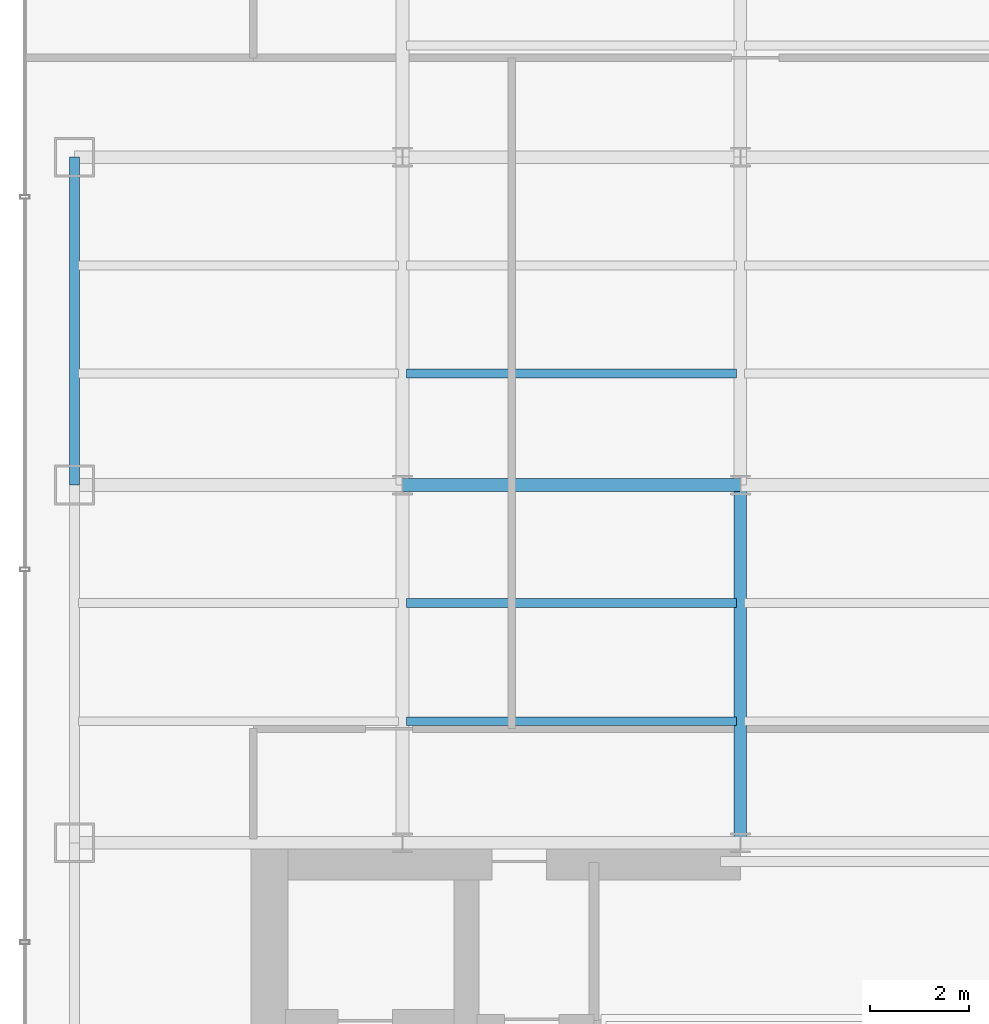
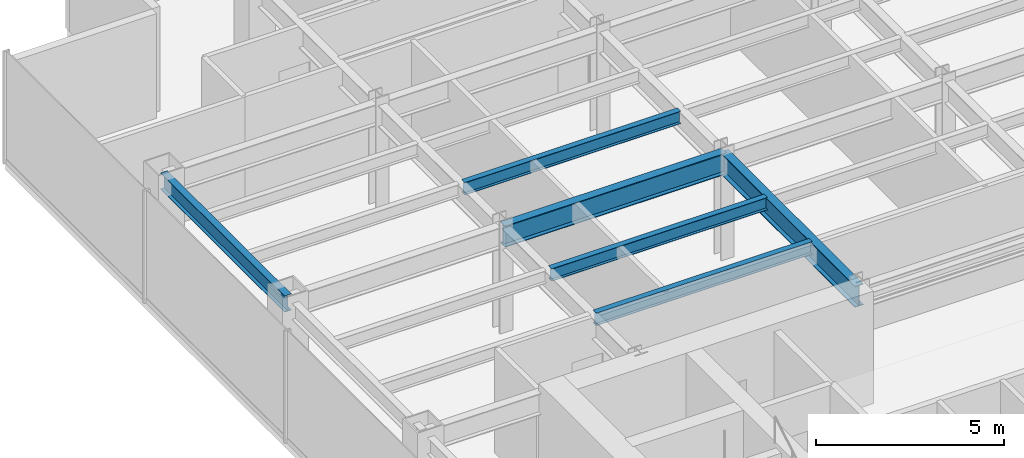
# One storey, part 5 of 26: 6 beams.
"""IFC4 building model written with IfcOpenShell, lengths in metres."""

from ifc_helpers import new_model, si_unit, derived_unit, direction, frame, origin, origin_2d, place, context, subcontext, project, spatial, i_section, extrude, source, transform, mapped, material, material_profile, profile_set, type_object, element, save


model = new_model("IFC4")

# Units and contexts
model_context = context("Model", 3, precision=1e-05, world=origin(), true_north=direction((0.0, 1.0)))
body_context = subcontext(model_context, "Body", "Model", "MODEL_VIEW")
ifc_project = project(units=[si_unit("LENGTHUNIT", "METRE"), si_unit("AREAUNIT", "SQUARE_METRE"), si_unit("VOLUMEUNIT", "CUBIC_METRE"), si_unit("PLANEANGLEUNIT", "RADIAN"), si_unit("MASSUNIT", "GRAM", prefix="KILO"), derived_unit("THERMALTRANSMITTANCEUNIT", [(si_unit("POWERUNIT", "WATT"), 1), (si_unit("LENGTHUNIT", "METRE"), -2), (si_unit("THERMODYNAMICTEMPERATUREUNIT", "KELVIN"), -1)])], contexts=[model_context])

# Site, building, storey
site_placement = place(None, origin())
site = spatial("IfcSite", under=ifc_project, at=site_placement, CompositionType="ELEMENT")
building_placement = place(site_placement, origin())
building = spatial("IfcBuilding", under=site, at=building_placement, Name="Skarnbrae Concourse Arena and Tower", CompositionType="ELEMENT")
storey_placement = place(building_placement, frame((0.0, 0.0, 121.5)))
storey = spatial("IfcBuildingStorey", under=building, at=storey_placement, Name="L30", CompositionType="ELEMENT", Elevation=121.5)

# Beams
ifc_material = material(Name="Steel CSA G40.21 350W", Category="steel")
ifc_material_profile_1 = material_profile(ifc_material, i_section(OverallWidth=0.256103515625, OverallDepth=0.693115234375, WebThickness=0.014404296875, FlangeThickness=0.023681640625, at=origin_2d()), Name="W690X170")
ifc_profile_set_1 = profile_set([ifc_material_profile_1], Name="Steel CSA G40.21 350W")
beam_type_1 = type_object("IfcBeamType", Name="BM-GIRD-W690X170", PredefinedType="BEAM", material=ifc_profile_set_1)
shared_shape_1 = source(origin(), body_context, "Body", "SweptSolid", [
    extrude(i_section(OverallWidth=0.256103515625, OverallDepth=0.693115234375, WebThickness=0.014404296875, FlangeThickness=0.023681640625, at=origin_2d()), origin(), (0.0, 0.0, 1.0), 6.7998046875),
])
beam_1_placement = place(storey_placement, frame((7.60009765625, 21.199951171875, 3.053466796875), z_axis=(1.0, 0.0, 0.0), x_axis=(0.0, 1.0, 0.0)))
element("IfcBeam", 1, at=beam_1_placement, inside=storey, type_object=beam_type_1, Name="L30 Primary E-W girder Y21.2-2", PredefinedType="BEAM", context=body_context, shape_type="MappedRepresentation", body=[
    mapped(shared_shape_1, transform((0.0, 0.0, 0.0))),
])
ifc_material_profile_2 = material_profile(ifc_material, i_section(OverallWidth=0.208984375, OverallDepth=0.532958984375, WebThickness=0.01025390625, FlangeThickness=0.015625, at=origin_2d()), Name="W530X92")
ifc_profile_set_2 = profile_set([ifc_material_profile_2], Name="Steel CSA G40.21 350W")
beam_type_2 = type_object("IfcBeamType", Name="BM-SPAN-W530X92", PredefinedType="SPANDREL", material=ifc_profile_set_2)
shared_shape_2 = source(origin(), body_context, "Body", "SweptSolid", [
    extrude(i_section(OverallWidth=0.208984375, OverallDepth=0.532958984375, WebThickness=0.01025390625, FlangeThickness=0.015625, at=origin_2d()), origin(), (0.0, 0.0, 1.0), 6.60009765625),
])
beam_2_placement = place(storey_placement, frame((1.0, 21.199951171875, 3.133544921875), z_axis=(0.0, 1.0, 0.0), x_axis=(-1.0, 0.0, 0.0)))
element("IfcBeam", 2, at=beam_2_placement, inside=storey, type_object=beam_type_2, Name="L30 Perimeter spandrel X1.0-3", PredefinedType="SPANDREL", context=body_context, shape_type="MappedRepresentation", body=[
    mapped(shared_shape_2, transform((0.0, 0.0, 0.0))),
])
shared_shape_3 = source(origin(), body_context, "Body", "SweptSolid", [
    extrude(i_section(OverallWidth=0.256103515625, OverallDepth=0.693115234375, WebThickness=0.014404296875, FlangeThickness=0.023681640625, at=origin_2d()), origin(), (0.0, 0.0, 1.0), 7.199951171875),
])
beam_3_placement = place(storey_placement, frame((14.39990234375, 14.0, 3.053466796875), z_axis=(0.0, 1.0, 0.0), x_axis=(-1.0, 0.0, 0.0)))
element("IfcBeam", 3, at=beam_3_placement, inside=storey, type_object=beam_type_1, Name="L30 Primary N-S girder X14.4-1", PredefinedType="BEAM", context=body_context, shape_type="MappedRepresentation", body=[
    mapped(shared_shape_3, transform((0.0, 0.0, 0.0))),
])
ifc_material_profile_3 = material_profile(ifc_material, i_section(OverallWidth=0.177978515625, OverallDepth=0.406982421875, WebThickness=0.0078125, FlangeThickness=0.0126953125, at=origin_2d()), Name="W410X60")
ifc_profile_set_3 = profile_set([ifc_material_profile_3], Name="Steel CSA G40.21 350W")
beam_type_3 = type_object("IfcBeamType", Name="BM-JOIST-W410X60", PredefinedType="JOIST", material=ifc_profile_set_3)
shared_shape_4 = source(origin(), body_context, "Body", "SweptSolid", [
    extrude(i_section(OverallWidth=0.177978515625, OverallDepth=0.406982421875, WebThickness=0.0078125, FlangeThickness=0.0126953125, at=origin_2d()), origin(), (0.0, 0.0, 1.0), 6.64013671875),
])
for number, where, z_axis, x_axis, name in (
    (4, (7.679931640625, 16.447998046875, 3.196533203125), (1.0, 0.0, 0.0), (0.0, 1.0, 0.0), "L30 Secondary floor joist 1.1.2"),
    (5, (7.679931640625, 18.823974609375, 3.196533203125), (1.0, 0.0, 0.0), (0.0, 1.0, 0.0), "L30 Secondary floor joist 1.2.2"),
    (6, (7.679931640625, 23.444091796875, 3.196533203125), (1.0, 0.0, 0.0), (0.0, 1.0, 0.0), "L30 Secondary floor joist 2.1.2"),
):
    element("IfcBeam", number, at=place(storey_placement, frame(where, z_axis=z_axis, x_axis=x_axis)), inside=storey, type_object=beam_type_3, Name=name, PredefinedType="JOIST", context=body_context, shape_type="MappedRepresentation", body=[
        mapped(shared_shape_4, transform((0.0, 0.0, 0.0))),
    ])

save(model, "model.ifc")
